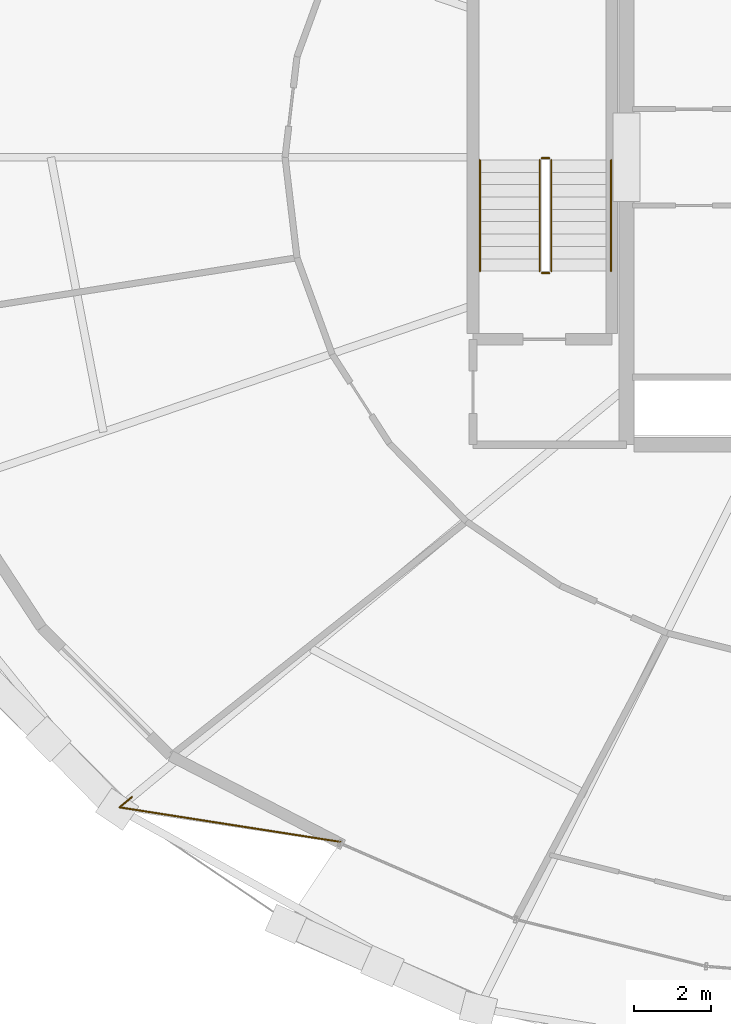
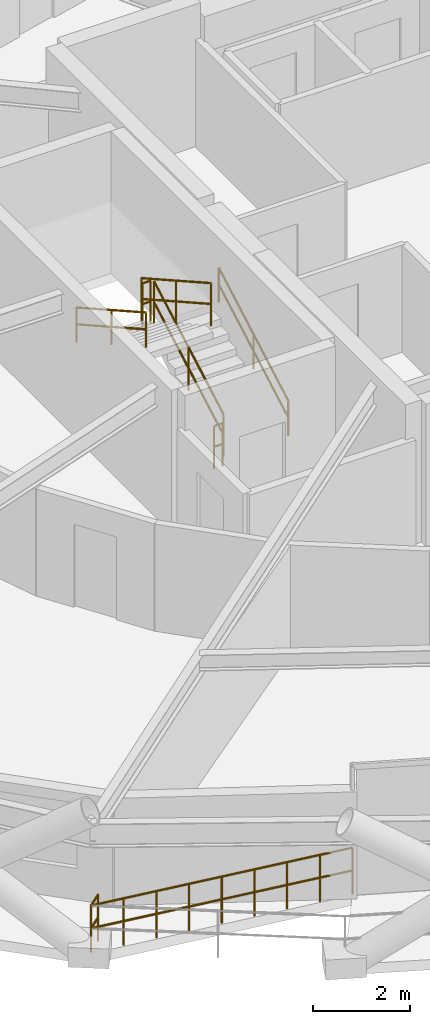
# One storey, part 19 of 21: 7 railings.
"""IFC4 building model written with IfcOpenShell, lengths in metres."""

from ifc_helpers import new_model, si_unit, direction, frame, origin, origin_2d, place, context, subcontext, project, spatial, circle, extrude, material, type_object, element, save


model = new_model("IFC4")

# Units and contexts
model_context = context("Model", 3, precision=1e-05, world=origin(), true_north=direction((0.0, 1.0)))
body_context = subcontext(model_context, "Body", "Model", "MODEL_VIEW")
ifc_project = project(units=[si_unit("LENGTHUNIT", "METRE"), si_unit("AREAUNIT", "SQUARE_METRE"), si_unit("VOLUMEUNIT", "CUBIC_METRE"), si_unit("PLANEANGLEUNIT", "RADIAN"), si_unit("MASSUNIT", "GRAM", prefix="KILO")], contexts=[model_context])

# Site, building, storey
site_placement = place(None, origin())
site = spatial("IfcSite", under=ifc_project, at=site_placement, CompositionType="ELEMENT")
building_placement = place(site_placement, origin())
building = spatial("IfcBuilding", under=site, at=building_placement, Name="Veldorina Hangang Commons", CompositionType="ELEMENT")
storey_placement = place(building_placement, frame((0.0, 0.0, 98.800048828125)))
storey = spatial("IfcBuildingStorey", under=building, at=storey_placement, Name="L25", CompositionType="ELEMENT", Elevation=98.800048828125)

# Railings
ifc_material_1 = material(Name="Glass Laminated Safety Balustrade", Category="glass")
railing_type_1 = type_object("IfcRailingType", Name="RL-BAL-LOGGIA", PredefinedType="BALUSTRADE", material=ifc_material_1)
railing_1_placement = place(storey_placement, frame((11.9814453125, 7.420166015625, 0.0)))
element("IfcRailing", 1, at=railing_1_placement, inside=storey, type_object=railing_type_1, Name="L25 sky-garden loggia end balustrade A", PredefinedType="BALUSTRADE", context=body_context, shape_type="SweptSolid", body=[
    extrude(circle(Radius=0.02392578125, at=origin_2d()), frame((0.0, 0.0, 1.17578125), z_axis=(-0.769980774218, -0.638067086861, 0.0), x_axis=(0.638067086861, -0.769980774218, 0.0)), (0.0, 0.0, 1.0), 0.420166015625),
    extrude(circle(Radius=0.02392578125, at=origin_2d()), frame((0.0, 0.0, 0.60009765625), z_axis=(-0.769980774218, -0.638067086861, 0.0), x_axis=(0.638067086861, -0.769980774218, 0.0)), (0.0, 0.0, 1.0), 0.420166015625),
    extrude(circle(Radius=0.02392578125, at=origin_2d()), frame((-0.323486328125, -0.26806640625, 1.17578125), z_axis=(0.988001810194, -0.15444229684, 0.0), x_axis=(0.15444229684, 0.988001810194, 0.0)), (0.0, 0.0, 1.0), 5.80615234375),
    extrude(circle(Radius=0.02392578125, at=origin_2d()), frame((-0.323486328125, -0.26806640625, 0.60009765625), z_axis=(0.988001810194, -0.15444229684, 0.0), x_axis=(0.15444229684, 0.988001810194, 0.0)), (0.0, 0.0, 1.0), 5.80615234375),
    extrude(circle(Radius=0.02099609375, at=origin_2d()), origin(), (0.0, 0.0, 1.0), 1.15185546875),
    extrude(circle(Radius=0.02099609375, at=origin_2d()), frame((-0.323486328125, -0.26806640625, 0.0)), (0.0, 0.0, 1.0), 1.15185546875),
    extrude(circle(Radius=0.02099609375, at=origin_2d()), frame((0.3935546875, -0.380126953125, 0.0)), (0.0, 0.0, 1.0), 1.15185546875),
    extrude(circle(Radius=0.02099609375, at=origin_2d()), frame((1.110595703125, -0.4921875, 0.0)), (0.0, 0.0, 1.0), 1.15185546875),
    extrude(circle(Radius=0.02099609375, at=origin_2d()), frame((1.82763671875, -0.604248046875, 0.0)), (0.0, 0.0, 1.0), 1.15185546875),
    extrude(circle(Radius=0.02099609375, at=origin_2d()), frame((2.544921875, -0.71630859375, 0.0)), (0.0, 0.0, 1.0), 1.15185546875),
    extrude(circle(Radius=0.02099609375, at=origin_2d()), frame((3.261962890625, -0.82861328125, 0.0)), (0.0, 0.0, 1.0), 1.15185546875),
    extrude(circle(Radius=0.02099609375, at=origin_2d()), frame((3.97900390625, -0.940673828125, 0.0)), (0.0, 0.0, 1.0), 1.15185546875),
    extrude(circle(Radius=0.02099609375, at=origin_2d()), frame((4.696044921875, -1.052734375, 0.0)), (0.0, 0.0, 1.0), 1.15185546875),
    extrude(circle(Radius=0.02099609375, at=origin_2d()), frame((5.4130859375, -1.164794921875, 0.0)), (0.0, 0.0, 1.0), 1.15185546875),
])
ifc_material_2 = material(Name="Steel Painted Balustrade", Category="steel")
railing_type_2 = type_object("IfcRailingType", Name="RL-GRD-STAIR", PredefinedType="GUARDRAIL", material=ifc_material_2)
railing_2_placement = place(storey_placement, frame((22.85009765625, 21.050048828125, 0.179931640625)))
element("IfcRailing", 2, at=railing_2_placement, inside=storey, type_object=railing_type_2, Name="L25 ST-1 stair guard 1", PredefinedType="GUARDRAIL", context=body_context, shape_type="SweptSolid", body=[
    extrude(circle(Radius=0.02392578125, at=origin_2d()), frame((0.0, 0.0, 1.076171875), z_axis=(0.0, 0.87155185771, 0.490303333991), x_axis=(-1.0, 0.0, 0.0)), (0.0, 0.0, 1.0), 3.30419921875),
    extrude(circle(Radius=0.02392578125, at=origin_2d()), frame((0.0, 0.0, 0.550048828125), z_axis=(0.0, 0.87155185771, 0.490303333991), x_axis=(-1.0, 0.0, 0.0)), (0.0, 0.0, 1.0), 3.30419921875),
    extrude(circle(Radius=0.02099609375, at=origin_2d()), origin(), (0.0, 0.0, 1.0), 1.052001953125),
    extrude(circle(Radius=0.02099609375, at=origin_2d()), frame((0.0, 1.43994140625, 0.81005859375)), (0.0, 0.0, 1.0), 1.052001953125),
    extrude(circle(Radius=0.02099609375, at=origin_2d()), frame((0.0, 2.8798828125, 1.6201171875)), (0.0, 0.0, 1.0), 1.052001953125),
])
railing_3_placement = place(storey_placement, frame((22.800048828125, 23.97998046875, 1.800048828125)))
element("IfcRailing", 3, at=railing_3_placement, inside=storey, type_object=railing_type_2, Name="L25 ST-1 stair guard 2", PredefinedType="GUARDRAIL", context=body_context, shape_type="SweptSolid", body=[
    extrude(circle(Radius=0.02392578125, at=origin_2d()), frame((0.0, 0.0, 1.076171875), z_axis=(-1.0, 0.0, 0.0), x_axis=(0.0, -1.0, 0.0)), (0.0, 0.0, 1.0), 0.199951171875),
    extrude(circle(Radius=0.02392578125, at=origin_2d()), frame((0.0, 0.0, 0.550048828125), z_axis=(-1.0, 0.0, 0.0), x_axis=(0.0, -1.0, 0.0)), (0.0, 0.0, 1.0), 0.199951171875),
    extrude(circle(Radius=0.02099609375, at=origin_2d()), origin(), (0.0, 0.0, 1.0), 1.052001953125),
    extrude(circle(Radius=0.02099609375, at=origin_2d()), frame((-0.199951171875, 0.0, 0.0)), (0.0, 0.0, 1.0), 1.052001953125),
])
railing_4_placement = place(storey_placement, frame((22.550048828125, 23.929931640625, 1.97998046875)))
element("IfcRailing", 4, at=railing_4_placement, inside=storey, type_object=railing_type_2, Name="L25 ST-1 stair guard 3", PredefinedType="GUARDRAIL", context=body_context, shape_type="SweptSolid", body=[
    extrude(circle(Radius=0.02392578125, at=origin_2d()), frame((0.0, 0.0, 1.076171875), z_axis=(0.0, -0.871583430097, 0.490247207417), x_axis=(1.0, 0.0, 0.0)), (0.0, 0.0, 1.0), 3.30419921875),
    extrude(circle(Radius=0.02392578125, at=origin_2d()), frame((0.0, 0.0, 0.550048828125), z_axis=(0.0, -0.871583430097, 0.490247207417), x_axis=(1.0, 0.0, 0.0)), (0.0, 0.0, 1.0), 3.30419921875),
    extrude(circle(Radius=0.02099609375, at=origin_2d()), origin(), (0.0, 0.0, 1.0), 1.052001953125),
    extrude(circle(Radius=0.02099609375, at=origin_2d()), frame((0.0, -1.43994140625, 0.81005859375)), (0.0, 0.0, 1.0), 1.052001953125),
    extrude(circle(Radius=0.02099609375, at=origin_2d()), frame((0.0, -2.8798828125, 1.619873046875)), (0.0, 0.0, 1.0), 1.052001953125),
])
railing_5_placement = place(storey_placement, frame((22.800048828125, 21.0, 0.0)))
element("IfcRailing", 5, at=railing_5_placement, inside=storey, type_object=railing_type_2, Name="L25 ST-1 stair guard 4", PredefinedType="GUARDRAIL", context=body_context, shape_type="SweptSolid", body=[
    extrude(circle(Radius=0.02392578125, at=origin_2d()), frame((0.0, 0.0, 1.076171875), z_axis=(-1.0, 0.0, 0.0), x_axis=(0.0, -1.0, 0.0)), (0.0, 0.0, 1.0), 0.199951171875),
    extrude(circle(Radius=0.02392578125, at=origin_2d()), frame((0.0, 0.0, 0.550048828125), z_axis=(-1.0, 0.0, 0.0), x_axis=(0.0, -1.0, 0.0)), (0.0, 0.0, 1.0), 0.199951171875),
    extrude(circle(Radius=0.02099609375, at=origin_2d()), origin(), (0.0, 0.0, 1.0), 1.052001953125),
    extrude(circle(Radius=0.02099609375, at=origin_2d()), frame((-0.199951171875, 0.0, 0.0)), (0.0, 0.0, 1.0), 1.052001953125),
])
ifc_material_3 = material(Name="Stainless Steel Brushed 316", Category="steel")
railing_type_3 = type_object("IfcRailingType", Name="RL-HND-STAIR", PredefinedType="HANDRAIL", material=ifc_material_3)
railing_6_placement = place(storey_placement, frame((24.39990234375, 21.050048828125, 0.179931640625)))
element("IfcRailing", 6, at=railing_6_placement, inside=storey, type_object=railing_type_3, Name="L25 ST-1 stair handrail 1", PredefinedType="HANDRAIL", context=body_context, shape_type="SweptSolid", body=[
    extrude(circle(Radius=0.02392578125, at=origin_2d()), frame((0.0, 0.0, 0.8759765625), z_axis=(0.0, 0.87155185771, 0.490303333991), x_axis=(-1.0, 0.0, 0.0)), (0.0, 0.0, 1.0), 3.30419921875),
    extrude(circle(Radius=0.02392578125, at=origin_2d()), frame((0.0, 0.0, 0.449951171875), z_axis=(0.0, 0.87155185771, 0.490303333991), x_axis=(-1.0, 0.0, 0.0)), (0.0, 0.0, 1.0), 3.30419921875),
    extrude(circle(Radius=0.02099609375, at=origin_2d()), origin(), (0.0, 0.0, 1.0), 0.851806640625),
    extrude(circle(Radius=0.02099609375, at=origin_2d()), frame((0.0, 1.43994140625, 0.81005859375)), (0.0, 0.0, 1.0), 0.851806640625),
    extrude(circle(Radius=0.02099609375, at=origin_2d()), frame((0.0, 2.8798828125, 1.6201171875)), (0.0, 0.0, 1.0), 0.851806640625),
])
railing_7_placement = place(storey_placement, frame((21.0, 23.929931640625, 1.97998046875)))
element("IfcRailing", 7, at=railing_7_placement, inside=storey, type_object=railing_type_3, Name="L25 ST-1 stair handrail 2", PredefinedType="HANDRAIL", context=body_context, shape_type="SweptSolid", body=[
    extrude(circle(Radius=0.02392578125, at=origin_2d()), frame((0.0, 0.0, 0.8759765625), z_axis=(0.0, -0.871583430097, 0.490247207417), x_axis=(1.0, 0.0, 0.0)), (0.0, 0.0, 1.0), 3.30419921875),
    extrude(circle(Radius=0.02392578125, at=origin_2d()), frame((0.0, 0.0, 0.449951171875), z_axis=(0.0, -0.871583430097, 0.490247207417), x_axis=(1.0, 0.0, 0.0)), (0.0, 0.0, 1.0), 3.30419921875),
    extrude(circle(Radius=0.02099609375, at=origin_2d()), origin(), (0.0, 0.0, 1.0), 0.851806640625),
    extrude(circle(Radius=0.02099609375, at=origin_2d()), frame((0.0, -1.43994140625, 0.81005859375)), (0.0, 0.0, 1.0), 0.851806640625),
    extrude(circle(Radius=0.02099609375, at=origin_2d()), frame((0.0, -2.8798828125, 1.619873046875)), (0.0, 0.0, 1.0), 0.851806640625),
])

save(model, "model.ifc")
